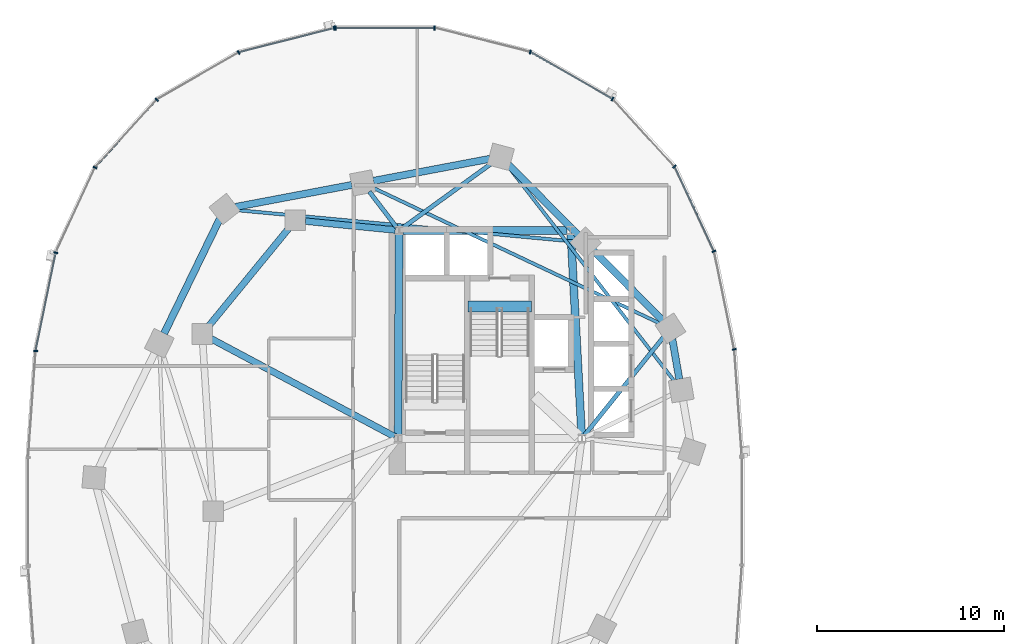
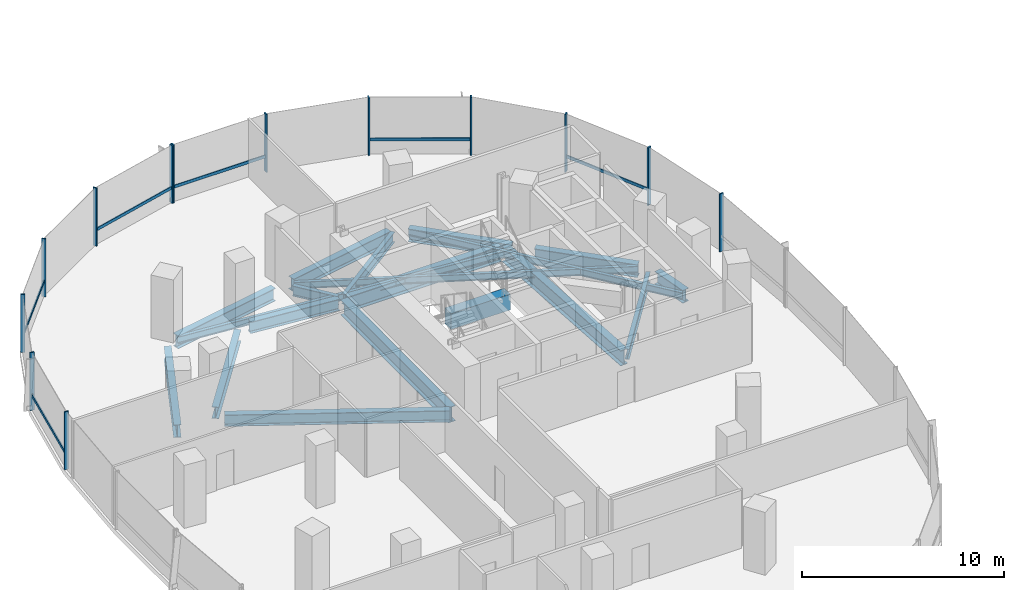
# One storey, part 4 of 21: 19 beams, 19 members, 2 elements without a shape of their own.
"""IFC4 building model written with IfcOpenShell, lengths in metres."""

from ifc_helpers import new_model, si_unit, direction, frame, origin, origin_2d, place, context, subcontext, project, spatial, rectangle, i_section, extrude, material, material_profile, profile_set, type_object, element, aggregate, save


model = new_model("IFC4")

# Units and contexts
model_context = context("Model", 3, precision=1e-05, world=origin(), true_north=direction((0.0, 1.0)))
body_context = subcontext(model_context, "Body", "Model", "MODEL_VIEW")
ifc_project = project(units=[si_unit("LENGTHUNIT", "METRE"), si_unit("AREAUNIT", "SQUARE_METRE"), si_unit("VOLUMEUNIT", "CUBIC_METRE"), si_unit("PLANEANGLEUNIT", "RADIAN"), si_unit("MASSUNIT", "GRAM", prefix="KILO"), si_unit("THERMODYNAMICTEMPERATUREUNIT", "KELVIN"), si_unit("POWERUNIT", "WATT")], contexts=[model_context])

# Site, building, storey
site_placement = place(None, origin())
site = spatial("IfcSite", under=ifc_project, at=site_placement, CompositionType="ELEMENT")
building_placement = place(site_placement, origin())
building = spatial("IfcBuilding", under=site, at=building_placement, Name="Cundina Bronze Exchange", CompositionType="ELEMENT")
storey_placement = place(building_placement, frame((0.0, 0.0, 50.60009765625)))
storey = spatial("IfcBuildingStorey", under=building, at=storey_placement, Name="L12", CompositionType="ELEMENT", Elevation=50.60009765625)

# Beams
ifc_material_1 = material(Name="Concrete C60/75", Category="concrete")
ifc_material_profile_1 = material_profile(ifc_material_1, rectangle(XDim=0.60009765625, YDim=0.949951171875, at=origin_2d()), Name="RC600X950", Category="concrete")
ifc_profile_set_1 = profile_set([ifc_material_profile_1], Name="Concrete C60/75")
beam_type_1 = type_object("IfcBeamType", Name="BM-COUP-RC950", PredefinedType="LINTEL", material=ifc_profile_set_1)
beam_1_placement = place(storey_placement, frame((-27.56005859375, 10.97998046875, -0.47509765625), z_axis=(1.0, 0.0, 0.0), x_axis=(0.0, 1.0, 0.0)))
element("IfcBeam", 1, at=beam_1_placement, inside=storey, type_object=beam_type_1, Name="L12 Stair W2 Landing Header Beam", PredefinedType="LINTEL", context=body_context, shape_type="SweptSolid", body=[
    extrude(rectangle(XDim=0.60009765625, YDim=0.949951171875, at=origin_2d()), origin(), (0.0, 0.0, 1.0), 3.400146484375),
])
ifc_material_2 = material(Name="Steel ASTM A992 Grade 50", Category="steel")
ifc_material_profile_2 = material_profile(ifc_material_2, i_section(OverallWidth=0.22998046875, OverallDepth=0.616943359375, WebThickness=0.01318359375, FlangeThickness=0.022216796875, FilletRadius=0.013916015625, at=origin_2d()), Name="W24X94", Category="steel")
ifc_profile_set_2 = profile_set([ifc_material_profile_2], Name="Steel ASTM A992 Grade 50")
beam_type_2 = type_object("IfcBeamType", Name="BM-FLR-W24B", PredefinedType="BEAM", material=ifc_profile_set_2)
beam_2_placement = place(storey_placement, frame((-21.322021484375, 4.058837890625, -0.608642578125), z_axis=(0.627106366175, 0.778933633568, 0.0), x_axis=(-0.778933633568, 0.627106366175, 0.0)))
element("IfcBeam", 2, at=beam_2_placement, inside=storey, type_object=beam_type_2, Name="L12 Leg W Radial Floor Beam 02", PredefinedType="BEAM", context=body_context, shape_type="SweptSolid", body=[
    extrude(i_section(OverallWidth=0.22998046875, OverallDepth=0.616943359375, WebThickness=0.01318359375, FlangeThickness=0.022216796875, FilletRadius=0.013916015625, at=origin_2d()), origin(), (0.0, 0.0, 1.0), 6.78271484375),
])
beam_3_placement = place(storey_placement, frame((-31.084716796875, 15.169677734375, -0.608642578125), z_axis=(0.809700299677, 0.586843611794, 0.0), x_axis=(-0.586843611794, 0.809700299677, 0.0)))
element("IfcBeam", 3, at=beam_3_placement, inside=storey, type_object=beam_type_2, Name="L12 Leg W Radial Floor Beam 04", PredefinedType="BEAM", context=body_context, shape_type="SweptSolid", body=[
    extrude(i_section(OverallWidth=0.22998046875, OverallDepth=0.616943359375, WebThickness=0.01318359375, FlangeThickness=0.022216796875, FilletRadius=0.013916015625, at=origin_2d()), origin(), (0.0, 0.0, 1.0), 5.938720703125),
])
beam_4_placement = place(storey_placement, frame((-31.373779296875, 15.2119140625, -0.608642578125), z_axis=(-0.607468844289, 0.794343504548, 0.0), x_axis=(-0.794343504548, -0.607468844289, 0.0)))
element("IfcBeam", 4, at=beam_4_placement, inside=storey, type_object=beam_type_2, Name="L12 Leg W Radial Floor Beam 05", PredefinedType="BEAM", context=body_context, shape_type="SweptSolid", body=[
    extrude(i_section(OverallWidth=0.22998046875, OverallDepth=0.616943359375, WebThickness=0.01318359375, FlangeThickness=0.022216796875, FilletRadius=0.013916015625, at=origin_2d()), origin(), (0.0, 0.0, 1.0), 2.418212890625),
])
ifc_material_profile_3 = material_profile(ifc_material_2, i_section(OverallWidth=0.178955078125, OverallDepth=0.409912109375, WebThickness=0.0087890625, FlangeThickness=0.014404296875, FilletRadius=0.010986328125, at=origin_2d()), Name="W16X45", Category="steel")
ifc_profile_set_3 = profile_set([ifc_material_profile_3], Name="Steel ASTM A992 Grade 50")
beam_type_3 = type_object("IfcBeamType", Name="BM-JST-W16", PredefinedType="JOIST", material=ifc_profile_set_3)
beam_5_placement = place(storey_placement, frame((-16.48486328125, 6.965087890625, -0.505126953125), z_axis=(-0.612089386305, 0.790788583108, 0.0), x_axis=(-0.790788583108, -0.612089386305, 0.0)))
element("IfcBeam", 5, at=beam_5_placement, inside=storey, type_object=beam_type_3, Name="L12 Leg W Lobe Floor Joist 01-04", PredefinedType="JOIST", context=body_context, shape_type="SweptSolid", body=[
    extrude(i_section(OverallWidth=0.178955078125, OverallDepth=0.409912109375, WebThickness=0.0087890625, FlangeThickness=0.014404296875, FilletRadius=0.010986328125, at=origin_2d()), origin(), (0.0, 0.0, 1.0), 14.630859375),
])
beam_6_placement = place(storey_placement, frame((-17.231689453125, 10.05126953125, -0.505126953125), z_axis=(-0.904072668297, 0.427378766949, 0.0), x_axis=(-0.427378766949, -0.904072668297, 0.0)))
element("IfcBeam", 6, at=beam_6_placement, inside=storey, type_object=beam_type_3, Name="L12 Leg W Lobe Floor Joist 02-05", PredefinedType="JOIST", context=body_context, shape_type="SweptSolid", body=[
    extrude(i_section(OverallWidth=0.178955078125, OverallDepth=0.409912109375, WebThickness=0.0087890625, FlangeThickness=0.014404296875, FilletRadius=0.010986328125, at=origin_2d()), origin(), (0.0, 0.0, 1.0), 17.07470703125),
])
beam_7_placement = place(storey_placement, frame((-21.83544921875, 14.45458984375, -0.505126953125), z_axis=(-0.995701961644, 0.09261535282, 0.0), x_axis=(-0.09261535282, -0.995701961644, 0.0)))
element("IfcBeam", 7, at=beam_7_placement, inside=storey, type_object=beam_type_3, Name="L12 Leg W Lobe Floor Joist 03-06", PredefinedType="JOIST", context=body_context, shape_type="SweptSolid", body=[
    extrude(i_section(OverallWidth=0.178955078125, OverallDepth=0.409912109375, WebThickness=0.0087890625, FlangeThickness=0.014404296875, FilletRadius=0.010986328125, at=origin_2d()), origin(), (0.0, 0.0, 1.0), 18.25732421875),
])
ifc_material_profile_4 = material_profile(ifc_material_2, i_section(OverallWidth=0.35498046875, OverallDepth=0.695068359375, WebThickness=0.015380859375, FlangeThickness=0.02490234375, FilletRadius=0.01806640625, at=origin_2d()), Name="W27X146", Category="steel")
ifc_profile_set_4 = profile_set([ifc_material_profile_4], Name="Steel ASTM A992 Grade 50")
beam_type_4 = type_object("IfcBeamType", Name="BM-RING-W27", PredefinedType="USERDEFINED", material=ifc_profile_set_4)
beam_8_placement = place(storey_placement, frame((-31.452880859375, 15.070068359375, -0.647705078125), z_axis=(-0.995126271817, 0.098608839051, 0.0), x_axis=(-0.098608839051, -0.995126271817, 0.0)))
element("IfcBeam", 8, at=beam_8_placement, inside=storey, type_object=beam_type_4, Name="L12 W Inner Structural Ring Girder 01", ObjectType="GIRDER", PredefinedType="USERDEFINED", context=body_context, shape_type="SweptSolid", body=[
    extrude(i_section(OverallWidth=0.35498046875, OverallDepth=0.695068359375, WebThickness=0.015380859375, FlangeThickness=0.02490234375, FilletRadius=0.01806640625, at=origin_2d()), origin(), (0.0, 0.0, 1.0), 4.83544921875),
])
beam_9_placement = place(storey_placement, frame((-37.14111328125, 15.183837890625, -0.647705078125), z_axis=(-0.633926549035, -0.773393257295, 0.0), x_axis=(0.773393257295, -0.633926549035, 0.0)))
element("IfcBeam", 9, at=beam_9_placement, inside=storey, type_object=beam_type_4, Name="L12 W Inner Structural Ring Girder 02", ObjectType="GIRDER", PredefinedType="USERDEFINED", context=body_context, shape_type="SweptSolid", body=[
    extrude(i_section(OverallWidth=0.35498046875, OverallDepth=0.695068359375, WebThickness=0.015380859375, FlangeThickness=0.02490234375, FilletRadius=0.01806640625, at=origin_2d()), origin(), (0.0, 0.0, 1.0), 6.811279296875),
])
beam_10_placement = place(storey_placement, frame((-31.47998046875, 3.99609375, -0.647705078125), z_axis=(-0.882354758239, 0.470584828286, 0.0), x_axis=(-0.470584828286, -0.882354758239, 0.0)))
element("IfcBeam", 10, at=beam_10_placement, inside=storey, type_object=beam_type_4, Name="L12 W Core-to-Waist Tie Beam 2", ObjectType="GIRDER", PredefinedType="USERDEFINED", context=body_context, shape_type="SweptSolid", body=[
    extrude(i_section(OverallWidth=0.35498046875, OverallDepth=0.695068359375, WebThickness=0.015380859375, FlangeThickness=0.02490234375, FilletRadius=0.01806640625, at=origin_2d()), origin(), (0.0, 0.0, 1.0), 11.157958984375),
])
ifc_material_profile_5 = material_profile(ifc_material_2, i_section(OverallWidth=0.381103515625, OverallDepth=0.77294921875, WebThickness=0.0166015625, FlangeThickness=0.027099609375, FilletRadius=0.01904296875, at=origin_2d()), Name="W30X173", Category="steel")
ifc_profile_set_5 = profile_set([ifc_material_profile_5], Name="Steel ASTM A992 Grade 50")
beam_type_5 = type_object("IfcBeamType", Name="BM-RING-W30", PredefinedType="USERDEFINED", material=ifc_profile_set_5)
beam_11_placement = place(storey_placement, frame((-16.225830078125, 7.079345703125, -0.6865234375), z_axis=(-0.171734584051, 0.985143254883, 0.0), x_axis=(-0.985143254883, -0.171734584051, 0.0)))
element("IfcBeam", 11, at=beam_11_placement, inside=storey, type_object=beam_type_5, Name="L12 W Perimeter Ring Girder 01", ObjectType="GIRDER", PredefinedType="USERDEFINED", context=body_context, shape_type="SweptSolid", body=[
    extrude(i_section(OverallWidth=0.381103515625, OverallDepth=0.77294921875, WebThickness=0.0166015625, FlangeThickness=0.027099609375, FilletRadius=0.01904296875, at=origin_2d()), origin(), (0.0, 0.0, 1.0), 2.173583984375),
])
for number, where, z_axis, x_axis, name in (
    (12, (-17.113525390625, 10.218017578125, -0.6865234375), (-0.703222428859, 0.710969911845, 0.0), (-0.710969911845, -0.703222428859, 0.0), "L12 W Perimeter Ring Girder 02"),
    (13, (-21.66357421875, 14.818115234375, -0.6865234375), (-0.703222428859, 0.710969911845, 0.0), (-0.710969911845, -0.703222428859, 0.0), "L12 W Perimeter Ring Girder 03"),
):
    element("IfcBeam", number, at=place(storey_placement, frame(where, z_axis=z_axis, x_axis=x_axis)), inside=storey, type_object=beam_type_5, Name=name, ObjectType="GIRDER", PredefinedType="USERDEFINED", context=body_context, shape_type="SweptSolid", body=[
        extrude(i_section(OverallWidth=0.381103515625, OverallDepth=0.77294921875, WebThickness=0.0166015625, FlangeThickness=0.027099609375, FilletRadius=0.01904296875, at=origin_2d()), origin(), (0.0, 0.0, 1.0), 5.2939453125),
    ])
beam_12_placement = place(storey_placement, frame((-26.377685546875, 18.890625, -0.6865234375), z_axis=(-0.982570814598, -0.185888661031, 0.0), x_axis=(0.185888661031, -0.982570814598, 0.0)))
element("IfcBeam", 14, at=beam_12_placement, inside=storey, type_object=beam_type_5, Name="L12 W Perimeter Ring Girder 04", ObjectType="GIRDER", PredefinedType="USERDEFINED", context=body_context, shape_type="SweptSolid", body=[
    extrude(i_section(OverallWidth=0.381103515625, OverallDepth=0.77294921875, WebThickness=0.0166015625, FlangeThickness=0.027099609375, FilletRadius=0.01904296875, at=origin_2d()), origin(), (0.0, 0.0, 1.0), 6.35546875),
])
beam_13_placement = place(storey_placement, frame((-33.77783203125, 17.49072265625, -0.6865234375), z_axis=(-0.982569487119, -0.185895677686, 0.0), x_axis=(0.185895677686, -0.982569487119, 0.0)))
element("IfcBeam", 15, at=beam_13_placement, inside=storey, type_object=beam_type_5, Name="L12 W Perimeter Ring Girder 05", ObjectType="GIRDER", PredefinedType="USERDEFINED", context=body_context, shape_type="SweptSolid", body=[
    extrude(i_section(OverallWidth=0.381103515625, OverallDepth=0.77294921875, WebThickness=0.0166015625, FlangeThickness=0.027099609375, FilletRadius=0.01904296875, at=origin_2d()), origin(), (0.0, 0.0, 1.0), 6.355224609375),
])
beam_14_placement = place(storey_placement, frame((-40.857177734375, 15.671142578125, -0.6865234375), z_axis=(-0.437190698904, -0.899368830231, 0.0), x_axis=(0.899368830231, -0.437190698904, 0.0)))
element("IfcBeam", 16, at=beam_14_placement, inside=storey, type_object=beam_type_5, Name="L12 W Perimeter Ring Girder 06", ObjectType="GIRDER", PredefinedType="USERDEFINED", context=body_context, shape_type="SweptSolid", body=[
    extrude(i_section(OverallWidth=0.381103515625, OverallDepth=0.77294921875, WebThickness=0.0166015625, FlangeThickness=0.027099609375, FilletRadius=0.01904296875, at=origin_2d()), origin(), (0.0, 0.0, 1.0), 6.82958984375),
])
ifc_material_profile_6 = material_profile(ifc_material_2, i_section(OverallWidth=0.41796875, OverallDepth=0.927001953125, WebThickness=0.019287109375, FlangeThickness=0.031982421875, FilletRadius=0.02392578125, at=origin_2d()), Name="W36X231", Category="steel")
ifc_profile_set_6 = profile_set([ifc_material_profile_6], Name="Steel ASTM A992 Grade 50")
beam_type_6 = type_object("IfcBeamType", Name="BM-WRN-W36B", PredefinedType="USERDEFINED", material=ifc_profile_set_6)
beam_15_placement = place(storey_placement, frame((-21.4609375, 4.103759765625, -0.763671875), z_axis=(-0.053739193498, 0.998555005537, 0.0), x_axis=(-0.998555005537, -0.053739193498, 0.0)))
element("IfcBeam", 17, at=beam_15_placement, inside=storey, type_object=beam_type_6, Name="L12 W Core Perimeter Tie Girder 2", ObjectType="GIRDER", PredefinedType="USERDEFINED", context=body_context, shape_type="SweptSolid", body=[
    extrude(i_section(OverallWidth=0.41796875, OverallDepth=0.927001953125, WebThickness=0.019287109375, FlangeThickness=0.031982421875, FilletRadius=0.02392578125, at=origin_2d()), origin(), (0.0, 0.0, 1.0), 10.758056640625),
])
beam_16_placement = place(storey_placement, frame((-22.25390625, 15.050048828125, -0.763671875), z_axis=(-1.0, 0.0, 0.0), x_axis=(0.0, -1.0, 0.0)))
element("IfcBeam", 18, at=beam_16_placement, inside=storey, type_object=beam_type_6, Name="L12 W Core Perimeter Tie Girder 3", ObjectType="GIRDER", PredefinedType="USERDEFINED", context=body_context, shape_type="SweptSolid", body=[
    extrude(i_section(OverallWidth=0.41796875, OverallDepth=0.927001953125, WebThickness=0.019287109375, FlangeThickness=0.031982421875, FilletRadius=0.02392578125, at=origin_2d()), origin(), (0.0, 0.0, 1.0), 8.7919921875),
])
beam_17_placement = place(storey_placement, frame((-31.2509765625, 14.845947265625, -0.763671875), z_axis=(-0.004477329608, -0.99998997671, 0.0), x_axis=(0.99998997671, -0.004477329608, 0.0)))
element("IfcBeam", 19, at=beam_17_placement, inside=storey, type_object=beam_type_6, Name="L12 W Core Perimeter Tie Girder 4", ObjectType="GIRDER", PredefinedType="USERDEFINED", context=body_context, shape_type="SweptSolid", body=[
    extrude(i_section(OverallWidth=0.41796875, OverallDepth=0.927001953125, WebThickness=0.019287109375, FlangeThickness=0.031982421875, FilletRadius=0.02392578125, at=origin_2d()), origin(), (0.0, 0.0, 1.0), 10.741943359375),
])

# Curtain wall, members
ifc_material_3 = material(Name="Anodised Bronze Aluminium 6063-T6", Category="aluminium")
curtain_wall_type = type_object("IfcCurtainWallType", Name="CWS-TRD-LOW", PredefinedType="NOTDEFINED", material=ifc_material_3)
curtain_wall_1_placement = place(storey_placement, origin())
curtain_wall_1 = element("IfcCurtainWall", 20, at=curtain_wall_1_placement, inside=storey, type_object=curtain_wall_type, Name="L12 CW-02 Curtain Wall Run CWR-L12-W1", PredefinedType="NOTDEFINED")
ifc_material_profile_7 = material_profile(ifc_material_3, rectangle(XDim=0.074951171875, YDim=0.219970703125, at=origin_2d()), Name="AL75X220", Category="aluminium")
ifc_profile_set_7 = profile_set([ifc_material_profile_7], Name="Anodised Bronze Aluminium 6063-T6")
member_type_1 = type_object("IfcMemberType", Name="CWM-MUL-220", PredefinedType="MULLION", material=ifc_profile_set_7)
member_1_placement = place(storey_placement, frame((-13.282958984375, 8.67822265625, 0.0), z_axis=(0.0, 0.0, 1.0), x_axis=(-0.201419845156, 0.979505000486, 0.0)))
member_1 = element("IfcMember", 21, at=member_1_placement, type_object=member_type_1, Name="CW-02 Mullion 2", PredefinedType="MULLION", context=body_context, shape_type="SweptSolid", body=[
    extrude(rectangle(XDim=0.074951171875, YDim=0.219970703125, at=origin_2d()), origin(), (0.0, 0.0, 1.0), 3.5),
])
member_2_placement = place(storey_placement, frame((-14.3720703125, 13.931884765625, 0.0), z_axis=(0.0, 0.0, 1.0), x_axis=(-0.42087749791, 0.907117485088, 0.0)))
member_2 = element("IfcMember", 22, at=member_2_placement, type_object=member_type_1, Name="CW-02 Mullion 3", PredefinedType="MULLION", context=body_context, shape_type="SweptSolid", body=[
    extrude(rectangle(XDim=0.074951171875, YDim=0.219970703125, at=origin_2d()), origin(), (0.0, 0.0, 1.0), 3.5),
])
member_3_placement = place(storey_placement, frame((-16.491455078125, 18.47705078125, 0.0), z_axis=(0.0, 0.0, 1.0), x_axis=(-0.674302387584, 0.738455340626, 0.0)))
member_3 = element("IfcMember", 23, at=member_3_placement, type_object=member_type_1, Name="CW-02 Mullion 4", PredefinedType="MULLION", context=body_context, shape_type="SweptSolid", body=[
    extrude(rectangle(XDim=0.074951171875, YDim=0.219970703125, at=origin_2d()), origin(), (0.0, 0.0, 1.0), 3.5),
])
member_4_placement = place(storey_placement, frame((-19.810302734375, 22.097412109375, 0.0), z_axis=(0.0, 0.0, 1.0), x_axis=(-0.867070701164, 0.498185105339, 0.0)))
member_4 = element("IfcMember", 24, at=member_4_placement, type_object=member_type_1, Name="CW-02 Mullion 5", PredefinedType="MULLION", context=body_context, shape_type="SweptSolid", body=[
    extrude(rectangle(XDim=0.074951171875, YDim=0.219970703125, at=origin_2d()), origin(), (0.0, 0.0, 1.0), 3.5),
])
member_5_placement = place(storey_placement, frame((-24.21484375, 24.61669921875, 0.0), z_axis=(0.0, 0.0, 1.0), x_axis=(-0.969488149345, 0.245138182011, 0.0)))
member_5 = element("IfcMember", 25, at=member_5_placement, type_object=member_type_1, Name="CW-02 Mullion 6", PredefinedType="MULLION", context=body_context, shape_type="SweptSolid", body=[
    extrude(rectangle(XDim=0.074951171875, YDim=0.219970703125, at=origin_2d()), origin(), (0.0, 0.0, 1.0), 3.5),
])
member_6_placement = place(storey_placement, frame((-29.345458984375, 25.905029296875, 0.0), z_axis=(0.0, 0.0, 1.0), x_axis=(-1.0, 0.0, 0.0)))
member_6 = element("IfcMember", 26, at=member_6_placement, type_object=member_type_1, Name="CW-02 Mullion 7", PredefinedType="MULLION", context=body_context, shape_type="SweptSolid", body=[
    extrude(rectangle(XDim=0.074951171875, YDim=0.219970703125, at=origin_2d()), origin(), (0.0, 0.0, 1.0), 3.5),
])
member_7_placement = place(storey_placement, frame((-34.654541015625, 25.905029296875, 0.0), z_axis=(0.0, 0.0, 1.0), x_axis=(-1.0, 0.0, 0.0)))
member_7 = element("IfcMember", 27, at=member_7_placement, type_object=member_type_1, Name="CW-02 End Mullion", PredefinedType="MULLION", context=body_context, shape_type="SweptSolid", body=[
    extrude(rectangle(XDim=0.074951171875, YDim=0.219970703125, at=origin_2d()), origin(), (0.0, 0.0, 1.0), 3.5),
])

curtain_wall_2_placement = place(storey_placement, origin())
curtain_wall_2 = element("IfcCurtainWall", 28, at=curtain_wall_2_placement, inside=storey, type_object=curtain_wall_type, Name="L12 CW-02 Curtain Wall Run CWR-L12-W2", PredefinedType="NOTDEFINED")
member_8_placement = place(storey_placement, frame((-34.72607421875, 25.89599609375, 0.0), z_axis=(0.0, 0.0, 1.0), x_axis=(-0.969488149345, -0.245138182011, 0.0)))
member_8 = element("IfcMember", 29, at=member_8_placement, type_object=member_type_1, Name="CW-02 Mullion 1", PredefinedType="MULLION", context=body_context, shape_type="SweptSolid", body=[
    extrude(rectangle(XDim=0.074951171875, YDim=0.219970703125, at=origin_2d()), origin(), (0.0, 0.0, 1.0), 3.5),
])
member_9_placement = place(storey_placement, frame((-39.848876953125, 24.591064453125, 0.0), z_axis=(0.0, 0.0, 1.0), x_axis=(-0.867070701164, -0.498185105339, 0.0)))
member_9 = element("IfcMember", 30, at=member_9_placement, type_object=member_type_1, Name="CW-02 Mullion 2", PredefinedType="MULLION", context=body_context, shape_type="SweptSolid", body=[
    extrude(rectangle(XDim=0.074951171875, YDim=0.219970703125, at=origin_2d()), origin(), (0.0, 0.0, 1.0), 3.5),
])
member_10_placement = place(storey_placement, frame((-44.239501953125, 22.0576171875, 0.0), z_axis=(0.0, 0.0, 1.0), x_axis=(-0.674302387584, -0.738455340626, 0.0)))
member_10 = element("IfcMember", 31, at=member_10_placement, type_object=member_type_1, Name="CW-02 Mullion 3", PredefinedType="MULLION", context=body_context, shape_type="SweptSolid", body=[
    extrude(rectangle(XDim=0.074951171875, YDim=0.219970703125, at=origin_2d()), origin(), (0.0, 0.0, 1.0), 3.5),
])
member_11_placement = place(storey_placement, frame((-47.544189453125, 18.423583984375, 0.0), z_axis=(0.0, 0.0, 1.0), x_axis=(-0.42087749791, -0.907117485088, 0.0)))
member_11 = element("IfcMember", 32, at=member_11_placement, type_object=member_type_1, Name="CW-02 Mullion 4", PredefinedType="MULLION", context=body_context, shape_type="SweptSolid", body=[
    extrude(rectangle(XDim=0.074951171875, YDim=0.219970703125, at=origin_2d()), origin(), (0.0, 0.0, 1.0), 3.5),
])
member_12_placement = place(storey_placement, frame((-49.651123046875, 13.861328125, 0.0), z_axis=(0.0, 0.0, 1.0), x_axis=(-0.201419845156, -0.979505000486, 0.0)))
member_12 = element("IfcMember", 33, at=member_12_placement, type_object=member_type_1, Name="CW-02 Mullion 5", PredefinedType="MULLION", context=body_context, shape_type="SweptSolid", body=[
    extrude(rectangle(XDim=0.074951171875, YDim=0.219970703125, at=origin_2d()), origin(), (0.0, 0.0, 1.0), 3.5),
])
member_13_placement = place(storey_placement, frame((-50.72900390625, 8.591552734375, 0.0), z_axis=(0.0, 0.0, 1.0), x_axis=(-0.070278787473, -0.997527389113, 0.0)))
member_13 = element("IfcMember", 34, at=member_13_placement, type_object=member_type_1, Name="CW-02 Mullion 6", PredefinedType="MULLION", context=body_context, shape_type="SweptSolid", body=[
    extrude(rectangle(XDim=0.074951171875, YDim=0.219970703125, at=origin_2d()), origin(), (0.0, 0.0, 1.0), 3.5),
])

# Member
ifc_material_profile_8 = material_profile(ifc_material_3, rectangle(XDim=0.070068359375, YDim=0.179931640625, at=origin_2d()), Name="AL70X180", Category="aluminium")
ifc_profile_set_8 = profile_set([ifc_material_profile_8], Name="Anodised Bronze Aluminium 6063-T6")
member_type_2 = type_object("IfcMemberType", Name="CWM-TRN-180", PredefinedType="USERDEFINED", material=ifc_profile_set_8)
member_14_placement = place(storey_placement, frame((-14.389404296875, 13.96923828125, 0.919921875), z_axis=(-0.420811422796, 0.907148139195, 0.0), x_axis=(-0.907148139195, -0.420811422796, 0.0)))
member_14 = element("IfcMember", 35, at=member_14_placement, type_object=member_type_2, Name="CW-02 Spandrel Transom 3", ObjectType="TRANSOM", PredefinedType="USERDEFINED", context=body_context, shape_type="SweptSolid", body=[
    extrude(rectangle(XDim=0.070068359375, YDim=0.179931640625, at=origin_2d()), origin(), (0.0, 0.0, 1.0), 4.95166015625),
])

member_15_placement = place(storey_placement, frame((-19.845947265625, 22.117919921875, 0.919921875), z_axis=(-0.867097475651, 0.498138502546, 0.0), x_axis=(-0.498138502546, -0.867097475651, 0.0)))
member_15 = element("IfcMember", 36, at=member_15_placement, type_object=member_type_2, Name="CW-02 Spandrel Transom 5", ObjectType="TRANSOM", PredefinedType="USERDEFINED", context=body_context, shape_type="SweptSolid", body=[
    extrude(rectangle(XDim=0.070068359375, YDim=0.179931640625, at=origin_2d()), origin(), (0.0, 0.0, 1.0), 5.00634765625),
])

member_16_placement = place(storey_placement, frame((-29.38671875, 25.905029296875, 0.919921875), z_axis=(-1.0, 0.0, 0.0), x_axis=(0.0, -1.0, 0.0)))
member_16 = element("IfcMember", 37, at=member_16_placement, type_object=member_type_2, Name="CW-02 Spandrel Transom 7", ObjectType="TRANSOM", PredefinedType="USERDEFINED", context=body_context, shape_type="SweptSolid", body=[
    extrude(rectangle(XDim=0.070068359375, YDim=0.179931640625, at=origin_2d()), origin(), (0.0, 0.0, 1.0), 5.2265625),
])

aggregate(curtain_wall_1, [member_1, member_2, member_14, member_3, member_4, member_15, member_5, member_6, member_7, member_16])

member_17_placement = place(storey_placement, frame((-34.76611328125, 25.885986328125, 0.919921875), z_axis=(-0.969483968866, -0.245154714644, 0.0), x_axis=(0.245154714644, -0.969483968866, 0.0)))
member_17 = element("IfcMember", 38, at=member_17_placement, type_object=member_type_2, Name="CW-02 Spandrel Transom 1", ObjectType="TRANSOM", PredefinedType="USERDEFINED", context=body_context, shape_type="SweptSolid", body=[
    extrude(rectangle(XDim=0.070068359375, YDim=0.179931640625, at=origin_2d()), origin(), (0.0, 0.0, 1.0), 5.21826171875),
])

member_18_placement = place(storey_placement, frame((-44.26708984375, 22.027099609375, 0.919921875), z_axis=(-0.674302794847, -0.738454968743, 0.0), x_axis=(0.738454968743, -0.674302794847, 0.0)))
member_18 = element("IfcMember", 39, at=member_18_placement, type_object=member_type_2, Name="CW-02 Spandrel Transom 3", ObjectType="TRANSOM", PredefinedType="USERDEFINED", context=body_context, shape_type="SweptSolid", body=[
    extrude(rectangle(XDim=0.070068359375, YDim=0.179931640625, at=origin_2d()), origin(), (0.0, 0.0, 1.0), 4.848388671875),
])

member_19_placement = place(storey_placement, frame((-49.659423828125, 13.821044921875, 0.919921875), z_axis=(-0.201427712708, -0.979503382615, 0.0), x_axis=(0.979503382615, -0.201427712708, 0.0)))
member_19 = element("IfcMember", 40, at=member_19_placement, type_object=member_type_2, Name="CW-02 Spandrel Transom 5", ObjectType="TRANSOM", PredefinedType="USERDEFINED", context=body_context, shape_type="SweptSolid", body=[
    extrude(rectangle(XDim=0.070068359375, YDim=0.179931640625, at=origin_2d()), origin(), (0.0, 0.0, 1.0), 5.291748046875),
])

aggregate(curtain_wall_2, [member_8, member_17, member_9, member_10, member_18, member_11, member_12, member_19, member_13])

save(model, "model.ifc")
